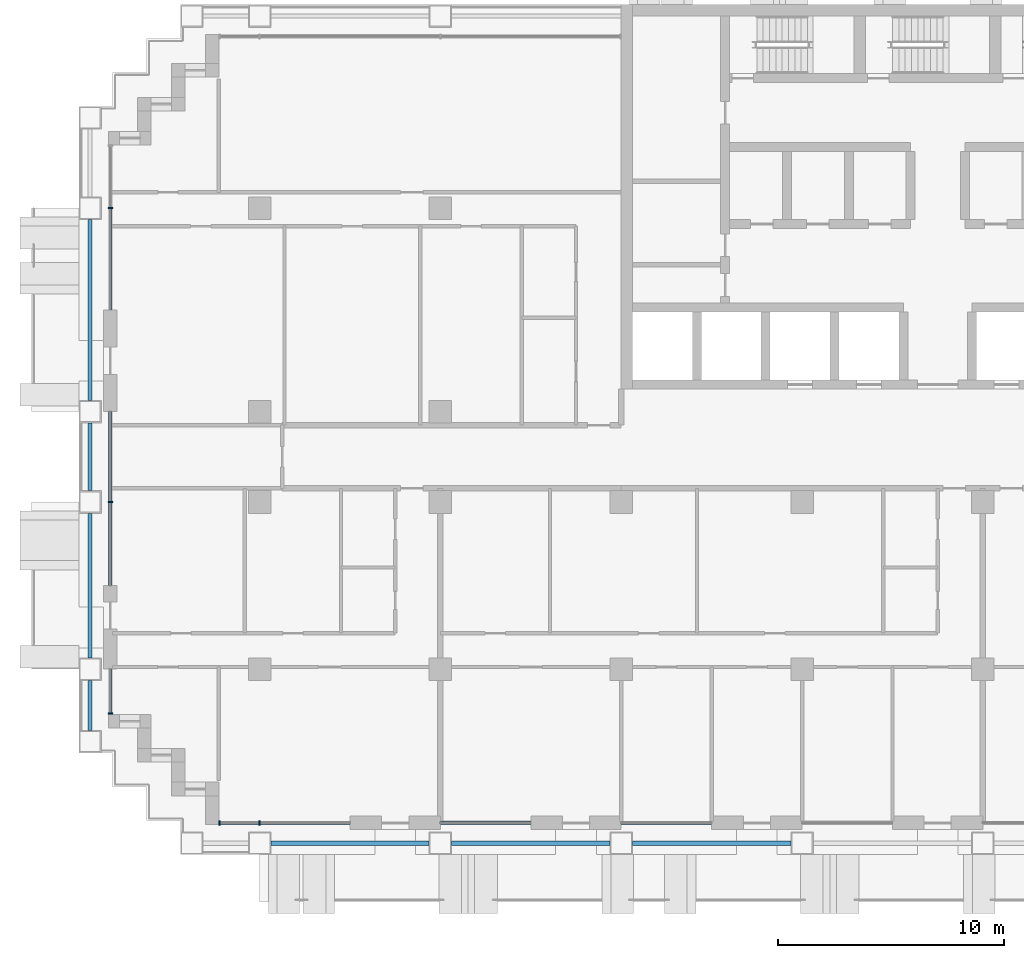
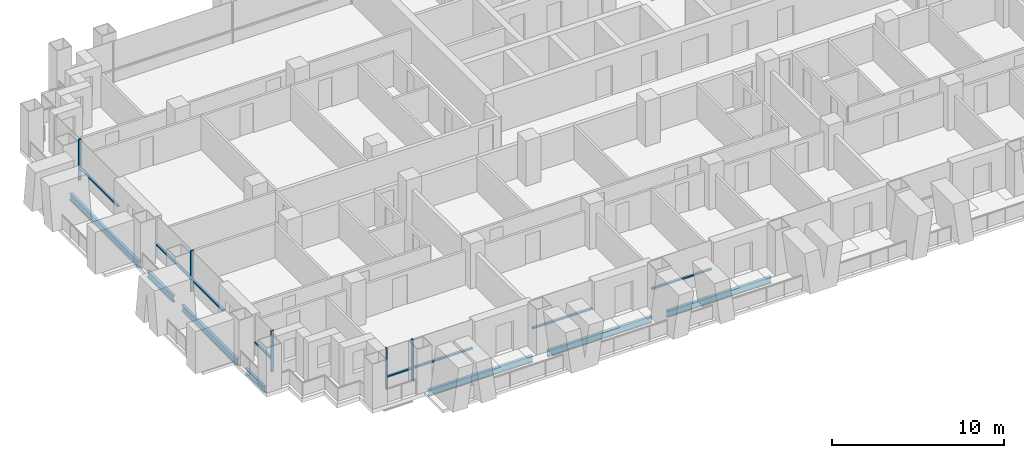
# One storey, part 2 of 18: 13 members, 7 beams, 6 elements without a shape of their own.
"""IFC4 building model written with IfcOpenShell, lengths in metres."""

from ifc_helpers import new_model, si_unit, direction, frame, origin, origin_2d, place, context, subcontext, project, spatial, rectangle, i_section, extrude, material, material_profile, profile_set, type_object, element, aggregate, save


model = new_model("IFC4")

# Units and contexts
model_context = context("Model", 3, precision=1e-05, world=origin(), true_north=direction((0.0, 1.0)))
body_context = subcontext(model_context, "Body", "Model", "MODEL_VIEW")
ifc_project = project(units=[si_unit("LENGTHUNIT", "METRE"), si_unit("AREAUNIT", "SQUARE_METRE"), si_unit("VOLUMEUNIT", "CUBIC_METRE"), si_unit("PLANEANGLEUNIT", "RADIAN"), si_unit("MASSUNIT", "GRAM", prefix="KILO")], contexts=[model_context])

# Site, building, storey
site_placement = place(None, origin())
site = spatial("IfcSite", under=ifc_project, at=site_placement, CompositionType="ELEMENT")
building_placement = place(site_placement, origin())
building = spatial("IfcBuilding", under=site, at=building_placement, Name="Vidyagriha Tower", CompositionType="ELEMENT")
storey_placement = place(building_placement, frame((0.0, 0.0, 44.800048828125)))
storey = spatial("IfcBuildingStorey", under=building, at=storey_placement, Name="L11", CompositionType="ELEMENT", Elevation=44.800048828125)

# Beams
ifc_material_1 = material(Name="Steel ASTM A992 Grade 50", Category="steel")
ifc_material_profile_1 = material_profile(ifc_material_1, i_section(OverallWidth=0.19189453125, OverallDepth=0.46240234375, WebThickness=0.010498046875, FlangeThickness=0.017578125, at=origin_2d()), Name="W18X60")
ifc_profile_set_1 = profile_set([ifc_material_profile_1], Name="Steel ASTM A992 Grade 50")
beam_type = type_object("IfcBeamType", Name="Edge beam W18X60", PredefinedType="SPANDREL", material=ifc_profile_set_1)
for number, where, z_axis, x_axis, name in (
    (1, (-29.5, -17.10009765625, -0.51123046875), (1.0, 0.0, 0.0), (0.0, 1.0, 0.0), "st-beam-L11-S02"),
    (2, (-21.5, -17.10009765625, -0.51123046875), (1.0, 0.0, 0.0), (0.0, 1.0, 0.0), "st-beam-L11-S03"),
    (3, (-13.5, -17.10009765625, -0.51123046875), (1.0, 0.0, 0.0), (0.0, 1.0, 0.0), "st-beam-L11-S04"),
):
    element("IfcBeam", number, at=place(storey_placement, frame(where, z_axis=z_axis, x_axis=x_axis)), inside=storey, type_object=beam_type, Name=name, PredefinedType="SPANDREL", context=body_context, shape_type="SweptSolid", body=[
        extrude(i_section(OverallWidth=0.19189453125, OverallDepth=0.46240234375, WebThickness=0.010498046875, FlangeThickness=0.017578125, at=origin_2d()), origin(), (0.0, 0.0, 1.0), 7.0),
    ])
beam_1_placement = place(storey_placement, frame((-37.5, -12.10009765625, -0.51123046875), z_axis=(0.0, 1.0, 0.0), x_axis=(-1.0, 0.0, 0.0)))
element("IfcBeam", 4, at=beam_1_placement, inside=storey, type_object=beam_type, Name="st-beam-L11-W10", PredefinedType="SPANDREL", context=body_context, shape_type="SweptSolid", body=[
    extrude(i_section(OverallWidth=0.19189453125, OverallDepth=0.46240234375, WebThickness=0.010498046875, FlangeThickness=0.017578125, at=origin_2d()), origin(), (0.0, 0.0, 1.0), 2.2001953125),
])
beam_2_placement = place(storey_placement, frame((-37.5, -8.89990234375, -0.51123046875), z_axis=(0.0, 1.0, 0.0), x_axis=(-1.0, 0.0, 0.0)))
element("IfcBeam", 5, at=beam_2_placement, inside=storey, type_object=beam_type, Name="st-beam-L11-W11", PredefinedType="SPANDREL", context=body_context, shape_type="SweptSolid", body=[
    extrude(i_section(OverallWidth=0.19189453125, OverallDepth=0.46240234375, WebThickness=0.010498046875, FlangeThickness=0.017578125, at=origin_2d()), origin(), (0.0, 0.0, 1.0), 6.39990234375),
])
beam_3_placement = place(storey_placement, frame((-37.5, -1.5, -0.51123046875), z_axis=(0.0, 1.0, 0.0), x_axis=(-1.0, 0.0, 0.0)))
element("IfcBeam", 6, at=beam_3_placement, inside=storey, type_object=beam_type, Name="st-beam-L11-W12", PredefinedType="SPANDREL", context=body_context, shape_type="SweptSolid", body=[
    extrude(i_section(OverallWidth=0.19189453125, OverallDepth=0.46240234375, WebThickness=0.010498046875, FlangeThickness=0.017578125, at=origin_2d()), origin(), (0.0, 0.0, 1.0), 3.0),
])
beam_4_placement = place(storey_placement, frame((-37.5, 2.5, -0.51123046875), z_axis=(0.0, 1.0, 0.0), x_axis=(-1.0, 0.0, 0.0)))
element("IfcBeam", 7, at=beam_4_placement, inside=storey, type_object=beam_type, Name="st-beam-L11-W13", PredefinedType="SPANDREL", context=body_context, shape_type="SweptSolid", body=[
    extrude(i_section(OverallWidth=0.19189453125, OverallDepth=0.46240234375, WebThickness=0.010498046875, FlangeThickness=0.017578125, at=origin_2d()), origin(), (0.0, 0.0, 1.0), 8.0),
])

# Curtain wall, member
ifc_material_2 = material(Name="Aluminium and glass curtain wall", Category="aluminium")
curtain_wall_type = type_object("IfcCurtainWallType", Name="Dwelling skin unitised curtain wall", PredefinedType="USERDEFINED", material=ifc_material_2)
curtain_wall_1_placement = place(storey_placement, origin())
curtain_wall_1 = element("IfcCurtainWall", 8, at=curtain_wall_1_placement, inside=storey, type_object=curtain_wall_type, Name="CW1 dwelling skin", ObjectType="UNITISED", PredefinedType="USERDEFINED")
ifc_material_3 = material(Name="Aluminium black anodised", Category="aluminium")
ifc_material_profile_2 = material_profile(ifc_material_3, rectangle(XDim=0.199951171875, YDim=0.070068359375, at=origin_2d()), Name="Mullion 70x200 black aluminium")
ifc_profile_set_2 = profile_set([ifc_material_profile_2], Name="Aluminium black anodised")
member_type_1 = type_object("IfcMemberType", Name="Mullion 70x200 black aluminium", PredefinedType="MULLION", material=ifc_profile_set_2)
member_1_placement = place(storey_placement, frame((-36.60009765625, 11.0, 0.0)))
member_1 = element("IfcMember", 9, at=member_1_placement, type_object=member_type_1, Name="CW1 mullion 2", PredefinedType="MULLION", context=body_context, shape_type="SweptSolid", body=[
    extrude(rectangle(XDim=0.199951171875, YDim=0.070068359375, at=origin_2d()), origin(), (0.0, 0.0, 1.0), 2.919921875),
])

curtain_wall_2_placement = place(storey_placement, origin())
curtain_wall_2 = element("IfcCurtainWall", 10, at=curtain_wall_2_placement, inside=storey, type_object=curtain_wall_type, Name="CW1 dwelling skin", ObjectType="UNITISED", PredefinedType="USERDEFINED")
member_2_placement = place(storey_placement, frame((-36.60009765625, -2.0, 0.0)))
member_2 = element("IfcMember", 11, at=member_2_placement, type_object=member_type_1, Name="CW1 mullion 2", PredefinedType="MULLION", context=body_context, shape_type="SweptSolid", body=[
    extrude(rectangle(XDim=0.199951171875, YDim=0.070068359375, at=origin_2d()), origin(), (0.0, 0.0, 1.0), 2.919921875),
])

curtain_wall_3_placement = place(storey_placement, origin())
curtain_wall_3 = element("IfcCurtainWall", 12, at=curtain_wall_3_placement, inside=storey, type_object=curtain_wall_type, Name="CW1 dwelling skin", ObjectType="UNITISED", PredefinedType="USERDEFINED")
member_3_placement = place(storey_placement, frame((-36.60009765625, -11.364990234375, 0.0)))
member_3 = element("IfcMember", 13, at=member_3_placement, type_object=member_type_1, Name="CW1 mullion 2", PredefinedType="MULLION", context=body_context, shape_type="SweptSolid", body=[
    extrude(rectangle(XDim=0.199951171875, YDim=0.070068359375, at=origin_2d()), origin(), (0.0, 0.0, 1.0), 2.919921875),
])

# Curtain wall, members
curtain_wall_4_placement = place(storey_placement, origin())
curtain_wall_4 = element("IfcCurtainWall", 14, at=curtain_wall_4_placement, inside=storey, type_object=curtain_wall_type, Name="CW1 dwelling skin", ObjectType="UNITISED", PredefinedType="USERDEFINED")
member_4_placement = place(storey_placement, frame((-31.764892578125, -16.199951171875, 0.0), z_axis=(0.0, 0.0, 1.0), x_axis=(0.0, 1.0, 0.0)))
member_4 = element("IfcMember", 15, at=member_4_placement, type_object=member_type_1, Name="CW1 mullion 1", PredefinedType="MULLION", context=body_context, shape_type="SweptSolid", body=[
    extrude(rectangle(XDim=0.199951171875, YDim=0.070068359375, at=origin_2d()), origin(), (0.0, 0.0, 1.0), 2.919921875),
])
member_5_placement = place(storey_placement, frame((-30.0, -16.199951171875, 0.0), z_axis=(0.0, 0.0, 1.0), x_axis=(0.0, 1.0, 0.0)))
member_5 = element("IfcMember", 16, at=member_5_placement, type_object=member_type_1, Name="CW1 mullion 2", PredefinedType="MULLION", context=body_context, shape_type="SweptSolid", body=[
    extrude(rectangle(XDim=0.199951171875, YDim=0.070068359375, at=origin_2d()), origin(), (0.0, 0.0, 1.0), 2.919921875),
])

# Member
ifc_material_4 = material(Name="Aluminium black anodised", Category="aluminium")
ifc_material_profile_3 = material_profile(ifc_material_4, rectangle(XDim=0.159912109375, YDim=0.10009765625, at=origin_2d()), Name="Transom 100x160 black aluminium")
ifc_profile_set_3 = profile_set([ifc_material_profile_3], Name="Aluminium black anodised")
member_type_2 = type_object("IfcMemberType", Name="Transom 100x160 black aluminium", PredefinedType="USERDEFINED", material=ifc_profile_set_3)
member_6_placement = place(storey_placement, frame((-36.60009765625, 10.965087890625, 0.89990234375), z_axis=(0.0, -1.0, 0.0), x_axis=(1.0, 0.0, 0.0)))
member_6 = element("IfcMember", 17, at=member_6_placement, type_object=member_type_2, Name="CW1 transom 2.1", ObjectType="TRANSOM", PredefinedType="USERDEFINED", context=body_context, shape_type="SweptSolid", body=[
    extrude(rectangle(XDim=0.159912109375, YDim=0.10009765625, at=origin_2d()), origin(), (0.0, 0.0, 1.0), 4.465087890625),
])

aggregate(curtain_wall_1, [member_1, member_6])

member_7_placement = place(storey_placement, frame((-36.60009765625, 2.0, 0.89990234375), z_axis=(0.0, -1.0, 0.0), x_axis=(1.0, 0.0, 0.0)))
member_7 = element("IfcMember", 18, at=member_7_placement, type_object=member_type_2, Name="CW1 transom 1.1", ObjectType="TRANSOM", PredefinedType="USERDEFINED", context=body_context, shape_type="SweptSolid", body=[
    extrude(rectangle(XDim=0.159912109375, YDim=0.10009765625, at=origin_2d()), origin(), (0.0, 0.0, 1.0), 3.965087890625),
])

member_8_placement = place(storey_placement, frame((-36.60009765625, -2.034912109375, 0.89990234375), z_axis=(0.0, -1.0, 0.0), x_axis=(1.0, 0.0, 0.0)))
member_8 = element("IfcMember", 19, at=member_8_placement, type_object=member_type_2, Name="CW1 transom 2.1", ObjectType="TRANSOM", PredefinedType="USERDEFINED", context=body_context, shape_type="SweptSolid", body=[
    extrude(rectangle(XDim=0.159912109375, YDim=0.10009765625, at=origin_2d()), origin(), (0.0, 0.0, 1.0), 3.6650390625),
])

aggregate(curtain_wall_2, [member_2, member_7, member_8])

member_9_placement = place(storey_placement, frame((-36.60009765625, -9.39990234375, 0.89990234375), z_axis=(0.0, -1.0, 0.0), x_axis=(1.0, 0.0, 0.0)))
member_9 = element("IfcMember", 20, at=member_9_placement, type_object=member_type_2, Name="CW1 transom 1.1", ObjectType="TRANSOM", PredefinedType="USERDEFINED", context=body_context, shape_type="SweptSolid", body=[
    extrude(rectangle(XDim=0.159912109375, YDim=0.10009765625, at=origin_2d()), origin(), (0.0, 0.0, 1.0), 1.93017578125),
])

aggregate(curtain_wall_3, [member_3, member_9])

member_10_placement = place(storey_placement, frame((-31.72998046875, -16.199951171875, 0.89990234375), z_axis=(1.0, 0.0, 0.0), x_axis=(0.0, 1.0, 0.0)))
member_10 = element("IfcMember", 21, at=member_10_placement, type_object=member_type_2, Name="CW1 transom 1.1", ObjectType="TRANSOM", PredefinedType="USERDEFINED", context=body_context, shape_type="SweptSolid", body=[
    extrude(rectangle(XDim=0.159912109375, YDim=0.10009765625, at=origin_2d()), origin(), (0.0, 0.0, 1.0), 1.695068359375),
])

member_11_placement = place(storey_placement, frame((-29.965087890625, -16.199951171875, 0.89990234375), z_axis=(1.0, 0.0, 0.0), x_axis=(0.0, 1.0, 0.0)))
member_11 = element("IfcMember", 22, at=member_11_placement, type_object=member_type_2, Name="CW1 transom 2.1", ObjectType="TRANSOM", PredefinedType="USERDEFINED", context=body_context, shape_type="SweptSolid", body=[
    extrude(rectangle(XDim=0.159912109375, YDim=0.10009765625, at=origin_2d()), origin(), (0.0, 0.0, 1.0), 3.965087890625),
])

aggregate(curtain_wall_4, [member_4, member_5, member_10, member_11])

# Curtain wall, member
curtain_wall_5_placement = place(storey_placement, origin())
curtain_wall_5 = element("IfcCurtainWall", 23, at=curtain_wall_5_placement, inside=storey, type_object=curtain_wall_type, Name="CW1 dwelling skin", ObjectType="UNITISED", PredefinedType="USERDEFINED")
member_12_placement = place(storey_placement, frame((-22.0, -16.199951171875, 0.89990234375), z_axis=(1.0, 0.0, 0.0), x_axis=(0.0, 1.0, 0.0)))
member_12 = element("IfcMember", 24, at=member_12_placement, type_object=member_type_2, Name="CW1 transom 1.1", ObjectType="TRANSOM", PredefinedType="USERDEFINED", context=body_context, shape_type="SweptSolid", body=[
    extrude(rectangle(XDim=0.159912109375, YDim=0.10009765625, at=origin_2d()), origin(), (0.0, 0.0, 1.0), 4.0),
])
aggregate(curtain_wall_5, [member_12])

curtain_wall_6_placement = place(storey_placement, origin())
curtain_wall_6 = element("IfcCurtainWall", 25, at=curtain_wall_6_placement, inside=storey, type_object=curtain_wall_type, Name="CW1 dwelling skin", ObjectType="UNITISED", PredefinedType="USERDEFINED")
member_13_placement = place(storey_placement, frame((-14.0, -16.199951171875, 0.89990234375), z_axis=(1.0, 0.0, 0.0), x_axis=(0.0, 1.0, 0.0)))
member_13 = element("IfcMember", 26, at=member_13_placement, type_object=member_type_2, Name="CW1 transom 1.1", ObjectType="TRANSOM", PredefinedType="USERDEFINED", context=body_context, shape_type="SweptSolid", body=[
    extrude(rectangle(XDim=0.159912109375, YDim=0.10009765625, at=origin_2d()), origin(), (0.0, 0.0, 1.0), 4.0),
])
aggregate(curtain_wall_6, [member_13])

save(model, "model.ifc")
